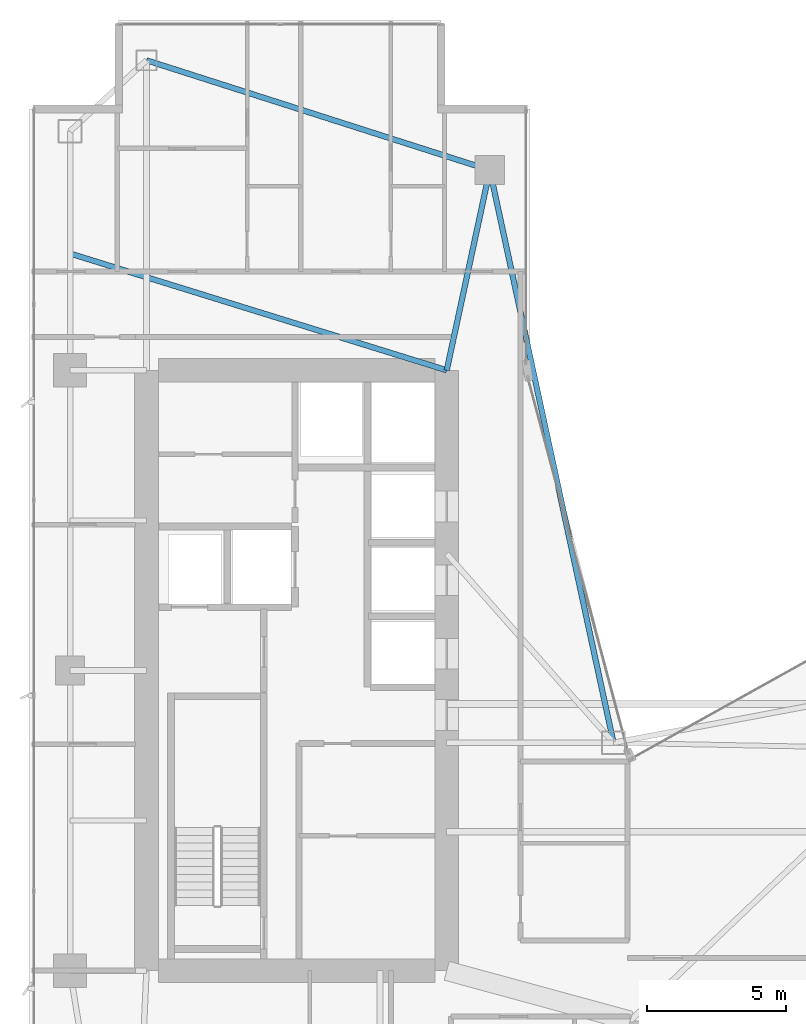
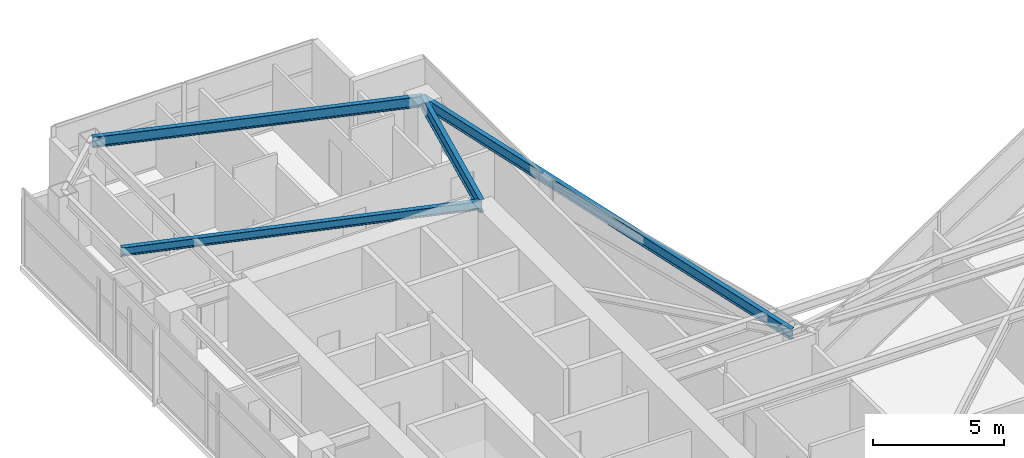
# One storey, part 17 of 28: 4 beams.
"""IFC4 building model written with IfcOpenShell, lengths in metres."""

from ifc_helpers import new_model, si_unit, direction, frame, origin, origin_2d, place, context, subcontext, project, spatial, i_section, extrude, material, material_profile, profile_set, type_object, element, save


model = new_model("IFC4")

# Units and contexts
model_context = context("Model", 3, precision=1e-05, world=origin(), true_north=direction((0.0, 1.0)))
body_context = subcontext(model_context, "Body", "Model", "MODEL_VIEW")
ifc_project = project(units=[si_unit("LENGTHUNIT", "METRE"), si_unit("AREAUNIT", "SQUARE_METRE"), si_unit("VOLUMEUNIT", "CUBIC_METRE"), si_unit("PLANEANGLEUNIT", "RADIAN"), si_unit("MASSUNIT", "GRAM", prefix="KILO")], contexts=[model_context])

# Site, building, storey
site_placement = place(None, origin())
site = spatial("IfcSite", under=ifc_project, at=site_placement, CompositionType="ELEMENT")
building_placement = place(site_placement, origin())
building = spatial("IfcBuilding", under=site, at=building_placement, Name="Calvorn Quay Hotel", CompositionType="ELEMENT")
storey_placement = place(building_placement, frame((0.0, 0.0, 159.89990234375)))
storey = spatial("IfcBuildingStorey", under=building, at=storey_placement, Name="L39", CompositionType="ELEMENT", Elevation=159.89990234375)

# Beams
ifc_material_1 = material(Name="Steel Q355B", Category="steel")
ifc_material_profile_1 = material_profile(ifc_material_1, i_section(OverallWidth=0.199951171875, OverallDepth=0.60009765625, WebThickness=0.010986328125, FlangeThickness=0.01708984375, FilletRadius=0.01806640625, at=origin_2d()), Name="HN600x200x11x17")
ifc_profile_set_1 = profile_set([ifc_material_profile_1], Name="Steel Q355B")
beam_type_1 = type_object("IfcBeamType", Name="BM-GIRD-TYP", PredefinedType="BEAM", material=ifc_profile_set_1)
beam_1_placement = place(storey_placement, frame((16.550048828125, 45.60009765625, 3.239990234375), z_axis=(-0.210457140491, -0.97760308511, 0.0), x_axis=(0.97760308511, -0.210457140491, 0.0)))
element("IfcBeam", 1, at=beam_1_placement, inside=storey, type_object=beam_type_1, Name="Beam BG-L39-W6", PredefinedType="BEAM", context=body_context, shape_type="SweptSolid", body=[
    extrude(i_section(OverallWidth=0.199951171875, OverallDepth=0.60009765625, WebThickness=0.010986328125, FlangeThickness=0.01708984375, FilletRadius=0.01806640625, at=origin_2d()), origin(), (0.0, 0.0, 1.0), 7.365234375),
])
ifc_material_2 = material(Name="Steel Q355B", Category="steel")
ifc_material_profile_2 = material_profile(ifc_material_2, i_section(OverallWidth=0.199951171875, OverallDepth=0.39990234375, WebThickness=0.008056640625, FlangeThickness=0.012939453125, FilletRadius=0.01611328125, at=origin_2d()), Name="HN400x200x8x13")
ifc_profile_set_2 = profile_set([ifc_material_profile_2], Name="Steel Q355B")
beam_type_2 = type_object("IfcBeamType", Name="BM-JOIST-TYP", PredefinedType="JOIST", material=ifc_profile_set_2)
beam_2_placement = place(storey_placement, frame((1.449951171875, 42.60009765625, 3.340087890625), z_axis=(0.955163702122, -0.296078202759, 0.0), x_axis=(0.296078202759, 0.955163702122, 0.0)))
element("IfcBeam", 2, at=beam_2_placement, inside=storey, type_object=beam_type_2, Name="Beam BJ-L39-W2", PredefinedType="JOIST", context=body_context, shape_type="SweptSolid", body=[
    extrude(i_section(OverallWidth=0.199951171875, OverallDepth=0.39990234375, WebThickness=0.008056640625, FlangeThickness=0.012939453125, FilletRadius=0.01611328125, at=origin_2d()), origin(), (0.0, 0.0, 1.0), 14.18603515625),
])
ifc_material_3 = material(Name="Steel Q355B", Category="steel")
ifc_material_profile_3 = material_profile(ifc_material_3, i_section(OverallWidth=0.199951171875, OverallDepth=0.5, WebThickness=0.010009765625, FlangeThickness=0.01611328125, FilletRadius=0.01611328125, at=origin_2d()), Name="HN500x200x10x16")
ifc_profile_set_3 = profile_set([ifc_material_profile_3], Name="Steel Q355B")
beam_type_3 = type_object("IfcBeamType", Name="BM-SPANDREL-Z1", PredefinedType="SPANDREL", material=ifc_profile_set_3)
beam_3_placement = place(storey_placement, frame((4.199951171875, 49.550048828125, 3.2900390625), z_axis=(0.952470702374, -0.304630203885, 0.0), x_axis=(0.304630203885, 0.952470702374, 0.0)))
element("IfcBeam", 3, at=beam_3_placement, inside=storey, type_object=beam_type_3, Name="Beam BSP-L39-W6", PredefinedType="SPANDREL", context=body_context, shape_type="SweptSolid", body=[
    extrude(i_section(OverallWidth=0.199951171875, OverallDepth=0.5, WebThickness=0.010009765625, FlangeThickness=0.01611328125, FilletRadius=0.01611328125, at=origin_2d()), origin(), (0.0, 0.0, 1.0), 12.96630859375),
])
beam_4_placement = place(storey_placement, frame((16.550048828125, 45.60009765625, 3.2900390625), z_axis=(0.211145848376, -0.977454567084, 0.0), x_axis=(0.977454567084, 0.211145848376, 0.0)))
element("IfcBeam", 4, at=beam_4_placement, inside=storey, type_object=beam_type_3, Name="Beam BSP-L39-W7", PredefinedType="SPANDREL", context=body_context, shape_type="SweptSolid", body=[
    extrude(i_section(OverallWidth=0.199951171875, OverallDepth=0.5, WebThickness=0.010009765625, FlangeThickness=0.01611328125, FilletRadius=0.01611328125, at=origin_2d()), origin(), (0.0, 0.0, 1.0), 21.0751953125),
])

save(model, "model.ifc")
